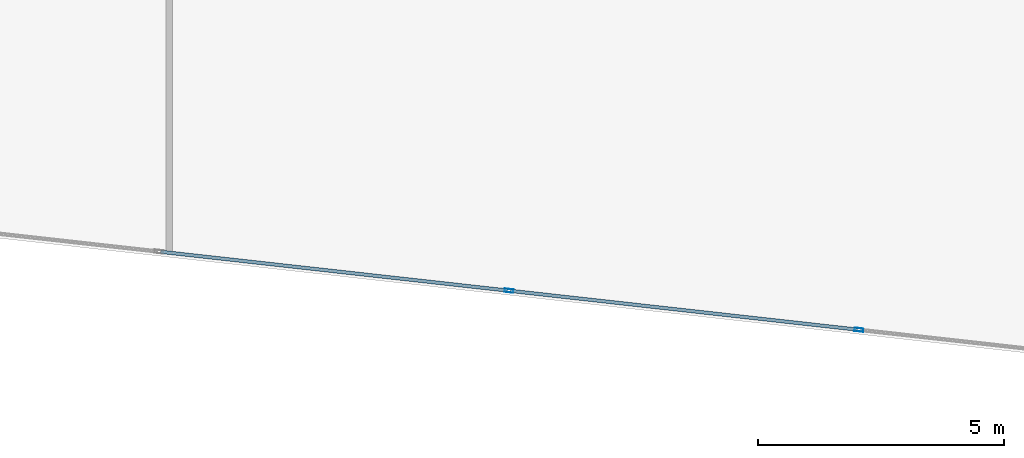
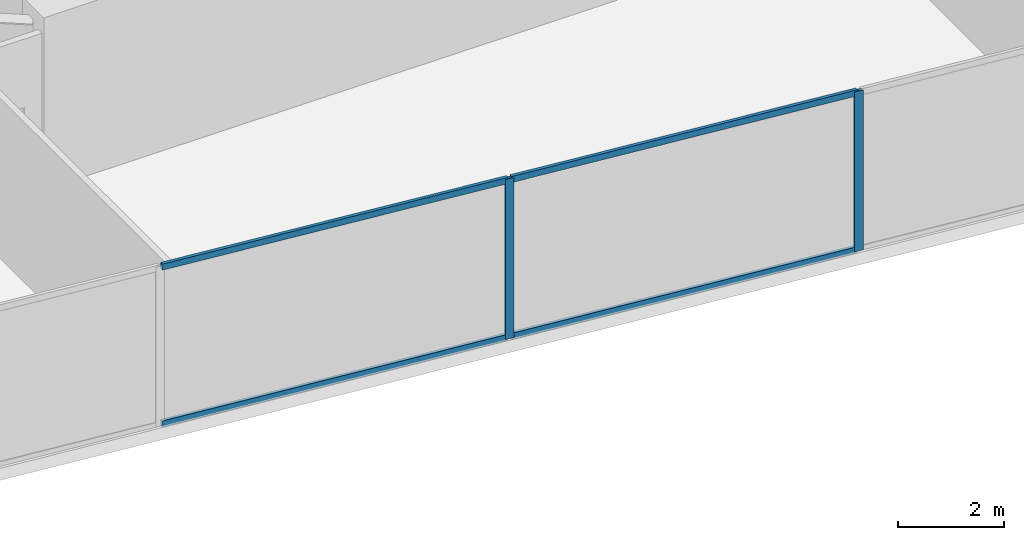
# One storey, part 5 of 29: 6 members, 1 element without a shape of its own.
"""IFC4 building model written with IfcOpenShell, lengths in metres."""

from ifc_helpers import new_model, si_unit, direction, frame, origin, origin_2d, place, context, subcontext, project, spatial, hollow_rectangle, extrude, source, transform, mapped, material, material_profile, profile_set, type_object, type_shapes, element, aggregate, save


model = new_model("IFC4")

# Units and contexts
model_context = context("Model", 3, precision=1e-05, world=origin(), true_north=direction((0.0, 1.0)))
body_context = subcontext(model_context, "Body", "Model", "MODEL_VIEW")
ifc_project = project(units=[si_unit("LENGTHUNIT", "METRE"), si_unit("AREAUNIT", "SQUARE_METRE"), si_unit("VOLUMEUNIT", "CUBIC_METRE"), si_unit("PLANEANGLEUNIT", "RADIAN"), si_unit("MASSUNIT", "GRAM", prefix="KILO")], contexts=[model_context])

# Site, building, storey
site_placement = place(None, origin())
site = spatial("IfcSite", under=ifc_project, at=site_placement, CompositionType="ELEMENT")
building_placement = place(site_placement, origin())
building = spatial("IfcBuilding", under=site, at=building_placement, Name="Krantzveldt Concourse Tower", CompositionType="ELEMENT")
storey_placement = place(building_placement, frame((0.0, 0.0, 60.550048828125)))
storey = spatial("IfcBuildingStorey", under=building, at=storey_placement, Name="L14", CompositionType="ELEMENT", Elevation=60.550048828125)

# Curtain wall, members
ifc_material = material(Name="Anodised aluminium 6063-T6", Category="aluminium")
curtain_wall_type = type_object("IfcCurtainWallType", Name="CW2", PredefinedType="USERDEFINED", material=ifc_material)
curtain_wall_placement = place(storey_placement, origin())
curtain_wall = element("IfcCurtainWall", 1, at=curtain_wall_placement, inside=storey, type_object=curtain_wall_type, Name="CW-L14-F04", ObjectType="UNITISED CURTAIN WALL", PredefinedType="USERDEFINED")
ifc_material_profile_1 = material_profile(ifc_material, hollow_rectangle(XDim=0.070068359375, YDim=0.179931640625, WallThickness=0.0048828125, at=origin_2d()), Name="Anodised aluminium 6063-T6", Category="aluminium")
ifc_profile_set_1 = profile_set([ifc_material_profile_1], Name="Anodised aluminium 6063-T6 - ALU-MULL 180x70x5")
member_type_1 = type_object("IfcMemberType", Name="CW-MUL-180", PredefinedType="MULLION", material=ifc_profile_set_1)
shared_shape_1 = source(origin(), body_context, "Body", "SweptSolid", [
    extrude(hollow_rectangle(XDim=0.070068359375, YDim=0.179931640625, WallThickness=0.0048828125, at=origin_2d()), origin(), (0.0, 0.0, 1.0), 3.669921875),
])
type_shapes(member_type_1, [shared_shape_1])
member_1_placement = place(storey_placement, frame((33.234130859375, 1.944091796875, 0.0), z_axis=(0.0, 0.0, 1.0), x_axis=(0.111035342863, 0.993816458223, 0.0)))
member_1 = element("IfcMember", 2, at=member_1_placement, type_object=member_type_1, Name="CW-Z12 mullion 4", PredefinedType="MULLION", context=body_context, shape_type="MappedRepresentation", body=[
    mapped(shared_shape_1, transform((0.0, 0.0, 0.0), x_axis=(1.0, 0.0, 0.0), y_axis=(0.0, 1.0, 0.0), z_axis=(0.0, 0.0, 1.0), scale=1.0)),
])
member_2_placement = place(storey_placement, frame((40.3564453125, 1.148193359375, 0.0), z_axis=(0.0, 0.0, 1.0), x_axis=(0.111035342863, 0.993816458223, 0.0)))
member_2 = element("IfcMember", 3, at=member_2_placement, type_object=member_type_1, Name="CW-Z12 mullion 5", PredefinedType="MULLION", context=body_context, shape_type="MappedRepresentation", body=[
    mapped(shared_shape_1, transform((0.0, 0.0, 0.0), x_axis=(1.0, 0.0, 0.0), y_axis=(0.0, 1.0, 0.0), z_axis=(0.0, 0.0, 1.0), scale=1.0)),
])
ifc_material_profile_2 = material_profile(ifc_material, hollow_rectangle(XDim=0.070068359375, YDim=0.139892578125, WallThickness=0.0048828125, at=origin_2d()), Name="Anodised aluminium 6063-T6", Category="aluminium")
ifc_profile_set_2 = profile_set([ifc_material_profile_2], Name="Anodised aluminium 6063-T6 - ALU-TRAN 140x70x5")
member_type_2 = type_object("IfcMemberType", Name="CW-TRN-150", PredefinedType="USERDEFINED", material=ifc_profile_set_2)
shared_shape_2 = source(origin(), body_context, "Body", "SweptSolid", [
    extrude(hollow_rectangle(XDim=0.070068359375, YDim=0.139892578125, WallThickness=0.0048828125, at=origin_2d()), origin(), (0.0, 0.0, 1.0), 7.0966796875),
])
member_3_placement = place(storey_placement, frame((26.146484375, 2.73583984375, 0.034912109375), z_axis=(0.993818533296, -0.111016768449, 0.0), x_axis=(0.111016768449, 0.993818533296, 0.0)))
member_3 = element("IfcMember", 4, at=member_3_placement, type_object=member_type_2, Name="CW-Z12 transom 3.1", ObjectType="TRANSOM", PredefinedType="USERDEFINED", context=body_context, shape_type="MappedRepresentation", body=[
    mapped(shared_shape_2, transform((0.0, 0.0, 0.0), x_axis=(1.0, 0.0, 0.0), y_axis=(0.0, 1.0, 0.0), z_axis=(0.0, 0.0, 1.0), scale=1.0)),
])
member_4_placement = place(storey_placement, frame((26.146484375, 2.73583984375, 3.635009765625), z_axis=(0.993818533296, -0.111016768449, 0.0), x_axis=(0.111016768449, 0.993818533296, 0.0)))
member_4 = element("IfcMember", 5, at=member_4_placement, type_object=member_type_2, Name="CW-Z12 transom 3.2", ObjectType="TRANSOM", PredefinedType="USERDEFINED", context=body_context, shape_type="MappedRepresentation", body=[
    mapped(shared_shape_2, transform((0.0, 0.0, 0.0), x_axis=(1.0, 0.0, 0.0), y_axis=(0.0, 1.0, 0.0), z_axis=(0.0, 0.0, 1.0), scale=1.0)),
])
shared_shape_3 = source(origin(), body_context, "Body", "SweptSolid", [
    extrude(hollow_rectangle(XDim=0.070068359375, YDim=0.139892578125, WallThickness=0.0048828125, at=origin_2d()), origin(), (0.0, 0.0, 1.0), 7.096923828125),
])
type_shapes(member_type_2, [shared_shape_2, shared_shape_3])
member_5_placement = place(storey_placement, frame((33.268798828125, 1.940185546875, 0.034912109375), z_axis=(0.993815161325, -0.111046950076, 0.0), x_axis=(0.111046950076, 0.993815161325, 0.0)))
member_5 = element("IfcMember", 6, at=member_5_placement, type_object=member_type_2, Name="CW-Z12 transom 4.1", ObjectType="TRANSOM", PredefinedType="USERDEFINED", context=body_context, shape_type="MappedRepresentation", body=[
    mapped(shared_shape_3, transform((0.0, 0.0, 0.0), x_axis=(1.0, 0.0, 0.0), y_axis=(0.0, 1.0, 0.0), z_axis=(0.0, 0.0, 1.0), scale=1.0)),
])
member_6_placement = place(storey_placement, frame((33.268798828125, 1.940185546875, 3.635009765625), z_axis=(0.993815161325, -0.111046950076, 0.0), x_axis=(0.111046950076, 0.993815161325, 0.0)))
member_6 = element("IfcMember", 7, at=member_6_placement, type_object=member_type_2, Name="CW-Z12 transom 4.2", ObjectType="TRANSOM", PredefinedType="USERDEFINED", context=body_context, shape_type="MappedRepresentation", body=[
    mapped(shared_shape_3, transform((0.0, 0.0, 0.0), x_axis=(1.0, 0.0, 0.0), y_axis=(0.0, 1.0, 0.0), z_axis=(0.0, 0.0, 1.0), scale=1.0)),
])
aggregate(curtain_wall, [member_1, member_2, member_3, member_4, member_5, member_6])

save(model, "model.ifc")
